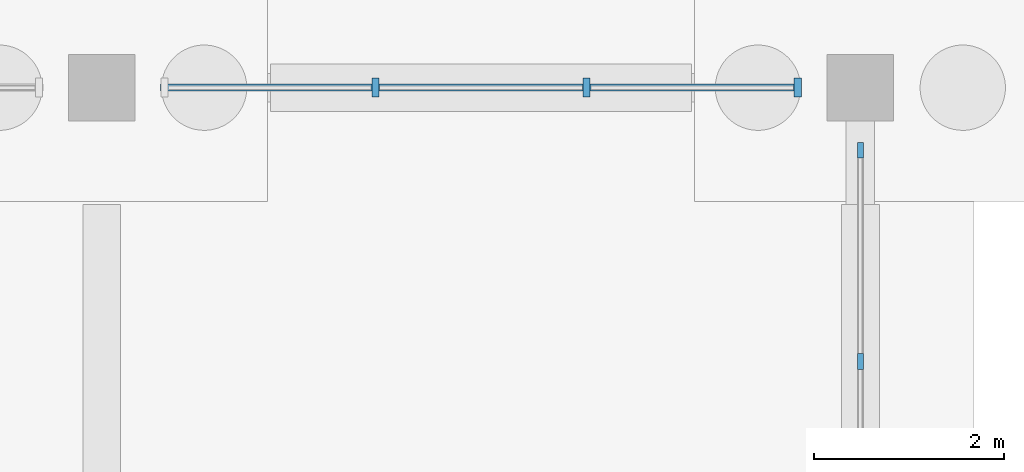
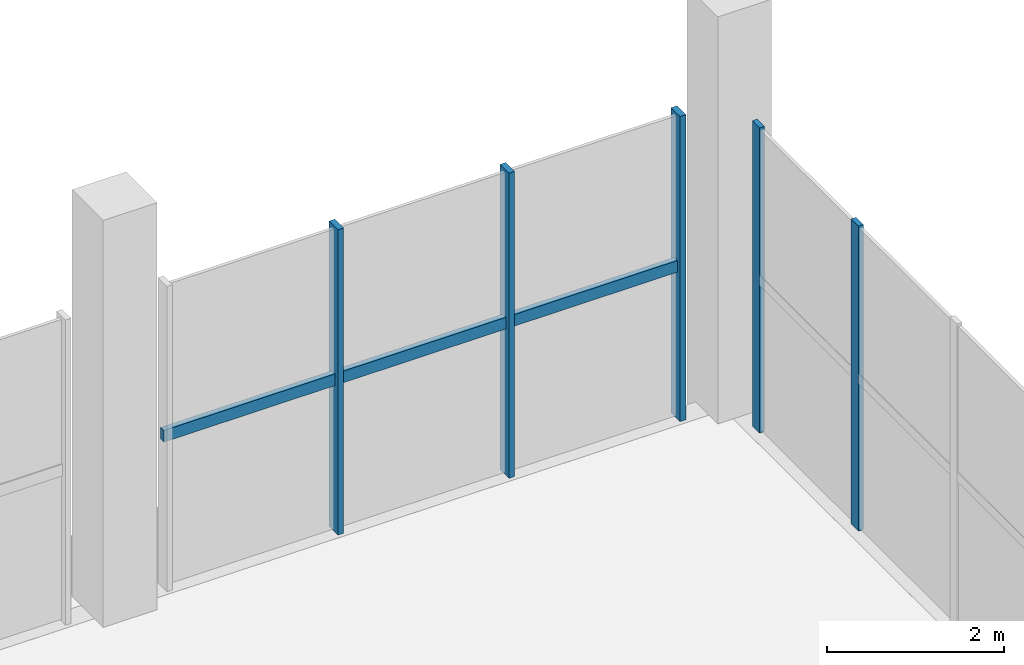
# One storey, part 63 of 98: 6 members, 2 elements without a shape of their own.
"""IFC4 building model written with IfcOpenShell, lengths in metres."""

from ifc_helpers import new_model, si_unit, derived_unit, direction, frame, origin, origin_2d, place, context, subcontext, project, spatial, rectangle, extrude, material, layer, layer_set, material_profile, profile_set, type_object, element, aggregate, save


model = new_model("IFC4")

# Units and contexts
model_context = context("Model", 3, precision=1e-05, world=origin(), true_north=direction((0.0, 1.0)))
body_context = subcontext(model_context, "Body", "Model", "MODEL_VIEW")
ifc_project = project(units=[si_unit("LENGTHUNIT", "METRE"), si_unit("AREAUNIT", "SQUARE_METRE"), si_unit("VOLUMEUNIT", "CUBIC_METRE"), si_unit("PLANEANGLEUNIT", "RADIAN"), si_unit("MASSUNIT", "GRAM", prefix="KILO"), si_unit("THERMODYNAMICTEMPERATUREUNIT", "KELVIN"), derived_unit("THERMALTRANSMITTANCEUNIT", [(si_unit("POWERUNIT", "WATT"), 1), (si_unit("AREAUNIT", "SQUARE_METRE"), -1), (si_unit("THERMODYNAMICTEMPERATUREUNIT", "KELVIN"), -1)])], contexts=[model_context])

# Site, building, storey
site_placement = place(None, origin())
site = spatial("IfcSite", under=ifc_project, at=site_placement, CompositionType="ELEMENT")
building_placement = place(site_placement, origin())
building = spatial("IfcBuilding", under=site, at=building_placement, Name="Haiyu Intermodal Mobility Hub", CompositionType="ELEMENT")
storey_placement = place(building_placement, origin())
storey = spatial("IfcBuildingStorey", under=building, at=storey_placement, Name="L00", CompositionType="ELEMENT", Elevation=0.0)

# Curtain wall, members
ifc_material_1 = material(Name="Low-e laminated insulating glass", Category="glass")
ifc_layer_1 = layer(ifc_material_1, 0.219970703125)
ifc_layer_set_1 = layer_set([ifc_layer_1], Name="Low-e laminated insulating glass")
curtain_wall_type_1 = type_object("IfcCurtainWallType", Name="CW-CW01", PredefinedType="NOTDEFINED", material=ifc_layer_set_1)
curtain_wall_1_placement = place(storey_placement, origin())
curtain_wall_1 = element("IfcCurtainWall", 1, at=curtain_wall_1_placement, inside=storey, type_object=curtain_wall_type_1, Name="Curtain Wall CW-V6N-L00-139", PredefinedType="NOTDEFINED")
ifc_material_2 = material(Name="Anodised aluminium 6063-T6", Category="aluminium")
ifc_material_profile_1 = material_profile(ifc_material_2, rectangle(XDim=0.074951171875, YDim=0.199951171875, at=origin_2d()), Name="ALU75x200")
ifc_profile_set_1 = profile_set([ifc_material_profile_1], Name="Anodised aluminium 6063-T6")
member_type_1 = type_object("IfcMemberType", Name="CWM-ML01", PredefinedType="MULLION", material=ifc_profile_set_1)
member_1_placement = place(storey_placement, frame((209.340087890625, 148.0, 0.0), z_axis=(0.0, 0.0, 1.0), x_axis=(1.0, 0.0, 0.0)))
member_1 = element("IfcMember", 2, at=member_1_placement, type_object=member_type_1, Name="CW-V6N-L00-139-ML01", PredefinedType="MULLION", context=body_context, shape_type="SweptSolid", body=[
    extrude(rectangle(XDim=0.074951171875, YDim=0.199951171875, at=origin_2d()), origin(), (0.0, 0.0, 1.0), 4.199951171875),
])
member_2_placement = place(storey_placement, frame((207.113037109375, 148.0, 0.0), z_axis=(0.0, 0.0, 1.0), x_axis=(1.0, 0.0, 0.0)))
member_2 = element("IfcMember", 3, at=member_2_placement, type_object=member_type_1, Name="CW-V6N-L00-139-ML02", PredefinedType="MULLION", context=body_context, shape_type="SweptSolid", body=[
    extrude(rectangle(XDim=0.074951171875, YDim=0.199951171875, at=origin_2d()), origin(), (0.0, 0.0, 1.0), 4.199951171875),
])
member_3_placement = place(storey_placement, frame((204.886962890625, 148.0, 0.0), z_axis=(0.0, 0.0, 1.0), x_axis=(1.0, 0.0, 0.0)))
member_3 = element("IfcMember", 4, at=member_3_placement, type_object=member_type_1, Name="CW-V6N-L00-139-ML03", PredefinedType="MULLION", context=body_context, shape_type="SweptSolid", body=[
    extrude(rectangle(XDim=0.074951171875, YDim=0.199951171875, at=origin_2d()), origin(), (0.0, 0.0, 1.0), 4.199951171875),
])

ifc_layer_2 = layer(ifc_material_1, 0.2099609375)
ifc_layer_set_2 = layer_set([ifc_layer_2], Name="Low-e laminated insulating glass")
curtain_wall_type_2 = type_object("IfcCurtainWallType", Name="CW-CW04", PredefinedType="NOTDEFINED", material=ifc_layer_set_2)
curtain_wall_2_placement = place(storey_placement, origin())
curtain_wall_2 = element("IfcCurtainWall", 5, at=curtain_wall_2_placement, inside=storey, type_object=curtain_wall_type_2, Name="Curtain Wall CW-V6E-L00-135", PredefinedType="NOTDEFINED")
ifc_material_profile_2 = material_profile(ifc_material_2, rectangle(XDim=0.06494140625, YDim=0.1650390625, at=origin_2d()), Name="ALU65x165")
ifc_profile_set_2 = profile_set([ifc_material_profile_2], Name="Anodised aluminium 6063-T6")
member_type_2 = type_object("IfcMemberType", Name="CWM-ML02", PredefinedType="MULLION", material=ifc_profile_set_2)
member_4_placement = place(storey_placement, frame((210.0, 145.113037109375, 0.0), z_axis=(0.0, 0.0, 1.0), x_axis=(1.0, 0.0, 0.0)))
member_4 = element("IfcMember", 6, at=member_4_placement, type_object=member_type_2, Name="CW-V6E-L00-135-ML03", PredefinedType="MULLION", context=body_context, shape_type="SweptSolid", body=[
    extrude(rectangle(XDim=0.06494140625, YDim=0.1650390625, at=origin_2d()), origin(), (0.0, 0.0, 1.0), 4.199951171875),
])
member_5_placement = place(storey_placement, frame((210.0, 147.340087890625, 0.0), z_axis=(0.0, 0.0, 1.0), x_axis=(1.0, 0.0, 0.0)))
member_5 = element("IfcMember", 7, at=member_5_placement, type_object=member_type_2, Name="CW-V6E-L00-135-ML04", PredefinedType="MULLION", context=body_context, shape_type="SweptSolid", body=[
    extrude(rectangle(XDim=0.06494140625, YDim=0.1650390625, at=origin_2d()), origin(), (0.0, 0.0, 1.0), 4.199951171875),
])
aggregate(curtain_wall_2, [member_4, member_5])

# Member
ifc_material_profile_3 = material_profile(ifc_material_2, rectangle(XDim=0.074951171875, YDim=0.159912109375, at=origin_2d()), Name="ALU75x160")
ifc_profile_set_3 = profile_set([ifc_material_profile_3], Name="Anodised aluminium 6063-T6")
member_type_3 = type_object("IfcMemberType", Name="CWM-TR01", PredefinedType="USERDEFINED", material=ifc_profile_set_3)
member_6_placement = place(storey_placement, frame((209.3798828125, 148.0, 2.10009765625), z_axis=(-1.0, 0.0, 0.0), x_axis=(0.0, -1.0, 0.0)))
member_6 = element("IfcMember", 8, at=member_6_placement, type_object=member_type_3, Name="CW-V6N-L00-139-TR01", ObjectType="TRANSOM", PredefinedType="USERDEFINED", context=body_context, shape_type="SweptSolid", body=[
    extrude(rectangle(XDim=0.074951171875, YDim=0.159912109375, at=origin_2d()), origin(), (0.0, 0.0, 1.0), 6.759765625),
])

aggregate(curtain_wall_1, [member_1, member_2, member_3, member_6])

save(model, "model.ifc")
